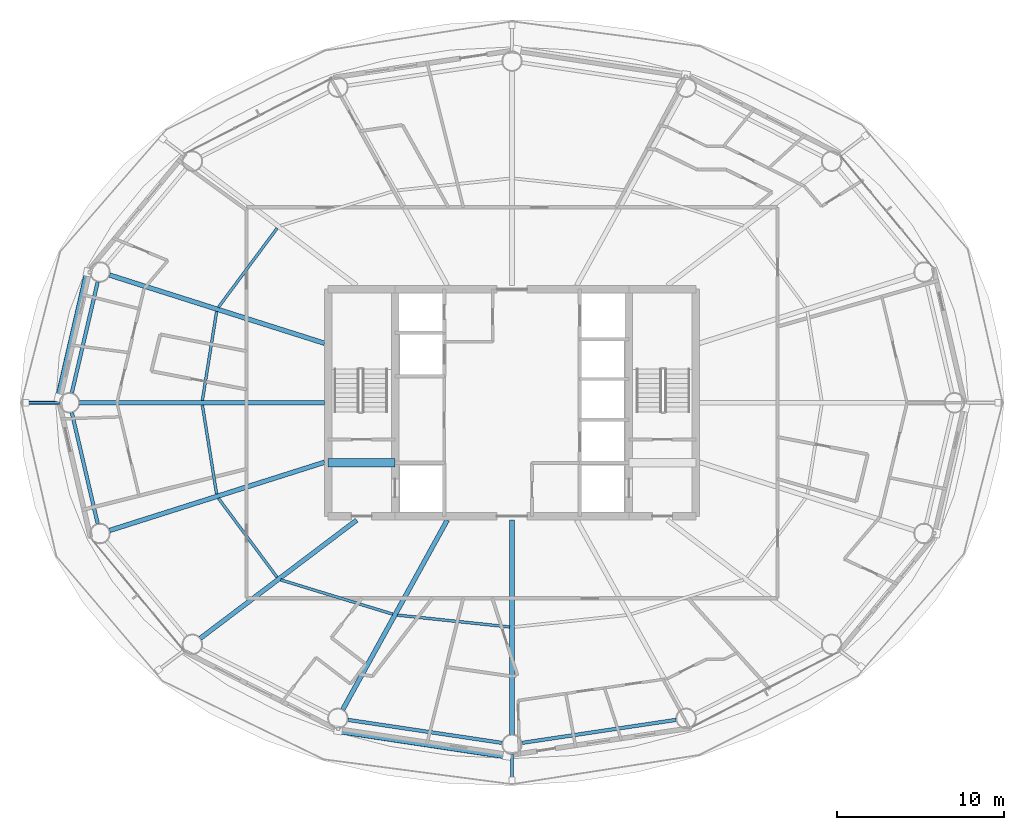
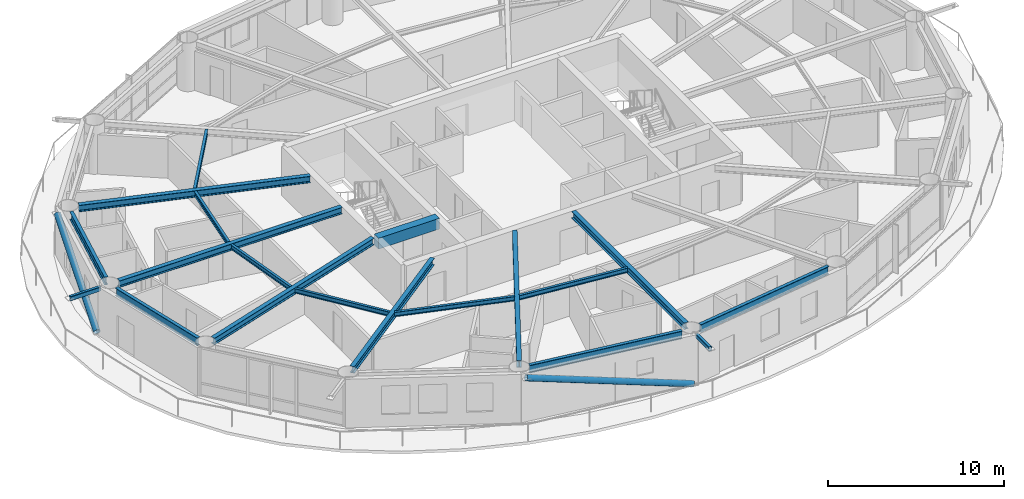
# One storey, part 4 of 27: 17 beams, 4 members.
"""IFC4 building model written with IfcOpenShell, lengths in metres."""

from ifc_helpers import new_model, si_unit, direction, frame, origin, origin_2d, place, context, subcontext, project, spatial, rectangle, hollow_rectangle, hollow_circle, i_section, extrude, material, material_profile, profile_set, type_object, element, save


model = new_model("IFC4")

# Units and contexts
model_context = context("Model", 3, precision=1e-05, world=origin(), true_north=direction((0.0, 1.0)))
body_context = subcontext(model_context, "Body", "Model", "MODEL_VIEW")
ifc_project = project(units=[si_unit("LENGTHUNIT", "METRE"), si_unit("AREAUNIT", "SQUARE_METRE"), si_unit("VOLUMEUNIT", "CUBIC_METRE"), si_unit("PLANEANGLEUNIT", "RADIAN"), si_unit("MASSUNIT", "GRAM", prefix="KILO")], contexts=[model_context])

# Site, building, storey
site_placement = place(None, origin())
site = spatial("IfcSite", under=ifc_project, at=site_placement, CompositionType="ELEMENT")
building_placement = place(site_placement, origin())
building = spatial("IfcBuilding", under=site, at=building_placement, Name="Sarneth Arch Tower", CompositionType="ELEMENT")
storey_placement = place(building_placement, frame((0.0, 0.0, 186.60009765625)))
storey = spatial("IfcBuildingStorey", under=building, at=storey_placement, Name="L47", CompositionType="ELEMENT", Elevation=186.60009765625)

# Beams
ifc_material_1 = material(Name="Steel S355", Category="steel")
ifc_material_profile_1 = material_profile(ifc_material_1, i_section(OverallWidth=0.1669921875, OverallDepth=0.31689453125, WebThickness=0.007568359375, FlangeThickness=0.01318359375, FilletRadius=0.012939453125, at=origin_2d()), Name="W310x52")
ifc_profile_set_1 = profile_set([ifc_material_profile_1], Name="Steel S355")
beam_type_1 = type_object("IfcBeamType", Name="BM-JOIST-310B", PredefinedType="JOIST", material=ifc_profile_set_1)
beam_1_placement = place(storey_placement, frame((33.941162109375, 52.449462890625, 3.221435546875), z_axis=(-0.596190586674, -0.802842938788, 0.0), x_axis=(0.802842938788, -0.596190586674, 0.0)))
element("IfcBeam", 1, at=beam_1_placement, inside=storey, type_object=beam_type_1, Name="L47 Secondary floor joist 07", PredefinedType="JOIST", context=body_context, shape_type="SweptSolid", body=[
    extrude(i_section(OverallWidth=0.1669921875, OverallDepth=0.31689453125, WebThickness=0.007568359375, FlangeThickness=0.01318359375, FilletRadius=0.012939453125, at=origin_2d()), origin(), (0.0, 0.0, 1.0), 5.896484375),
])
for number, where, z_axis, x_axis, name in (
    (2, (30.3203125, 47.46484375, 3.221435546875), (-0.158348792374, -0.987383238643, 0.0), (0.987383238643, -0.158348792374, 0.0), "L47 Secondary floor joist 08"),
    (3, (29.466064453125, 41.86181640625, 3.221435546875), (0.158348792374, -0.987383238643, 0.0), (0.987383238643, 0.158348792374, 0.0), "L47 Secondary floor joist 09"),
):
    element("IfcBeam", number, at=place(storey_placement, frame(where, z_axis=z_axis, x_axis=x_axis)), inside=storey, type_object=beam_type_1, Name=name, PredefinedType="JOIST", context=body_context, shape_type="SweptSolid", body=[
        extrude(i_section(OverallWidth=0.1669921875, OverallDepth=0.31689453125, WebThickness=0.007568359375, FlangeThickness=0.01318359375, FilletRadius=0.012939453125, at=origin_2d()), origin(), (0.0, 0.0, 1.0), 5.394775390625),
    ])
beam_2_placement = place(storey_placement, frame((30.42578125, 36.284423828125, 3.221435546875), z_axis=(0.596190586674, -0.802842938788, 0.0), x_axis=(0.802842938788, 0.596190586674, 0.0)))
element("IfcBeam", 4, at=beam_2_placement, inside=storey, type_object=beam_type_1, Name="L47 Secondary floor joist 10", PredefinedType="JOIST", context=body_context, shape_type="SweptSolid", body=[
    extrude(i_section(OverallWidth=0.1669921875, OverallDepth=0.31689453125, WebThickness=0.007568359375, FlangeThickness=0.01318359375, FilletRadius=0.012939453125, at=origin_2d()), origin(), (0.0, 0.0, 1.0), 5.896484375),
])
beam_3_placement = place(storey_placement, frame((34.15869140625, 31.397216796875, 3.221435546875), z_axis=(0.956178669891, -0.292783796076, 0.0), x_axis=(0.292783796076, 0.956178669891, 0.0)))
element("IfcBeam", 5, at=beam_3_placement, inside=storey, type_object=beam_type_1, Name="L47 Secondary floor joist 11", PredefinedType="JOIST", context=body_context, shape_type="SweptSolid", body=[
    extrude(i_section(OverallWidth=0.1669921875, OverallDepth=0.31689453125, WebThickness=0.007568359375, FlangeThickness=0.01318359375, FilletRadius=0.012939453125, at=origin_2d()), origin(), (0.0, 0.0, 1.0), 7.010986328125),
])
beam_4_placement = place(storey_placement, frame((41.1357421875, 29.288818359375, 3.221435546875), z_axis=(0.994447340543, -0.105235387994, 0.0), x_axis=(0.105235387994, 0.994447340543, 0.0)))
element("IfcBeam", 6, at=beam_4_placement, inside=storey, type_object=beam_type_1, Name="L47 Secondary floor joist 12", PredefinedType="JOIST", context=body_context, shape_type="SweptSolid", body=[
    extrude(i_section(OverallWidth=0.1669921875, OverallDepth=0.31689453125, WebThickness=0.007568359375, FlangeThickness=0.01318359375, FilletRadius=0.012939453125, at=origin_2d()), origin(), (0.0, 0.0, 1.0), 6.7626953125),
])
ifc_material_2 = material(Name="Concrete C50/60", Category="concrete")
ifc_material_profile_2 = material_profile(ifc_material_2, rectangle(XDim=0.5, YDim=0.75, at=origin_2d()), Name="RC-500x750")
ifc_profile_set_2 = profile_set([ifc_material_profile_2], Name="Concrete C50/60")
beam_type_2 = type_object("IfcBeamType", Name="BM-LINTEL-RC", PredefinedType="LINTEL", material=ifc_profile_set_2)
beam_5_placement = place(storey_placement, frame((37.0, 38.39990234375, 3.0048828125), z_axis=(1.0, 0.0, 0.0), x_axis=(0.0, 1.0, 0.0)))
element("IfcBeam", 7, at=beam_5_placement, inside=storey, type_object=beam_type_2, Name="L47 Core coupling lintel W", PredefinedType="LINTEL", context=body_context, shape_type="SweptSolid", body=[
    extrude(rectangle(XDim=0.5, YDim=0.75, at=origin_2d()), origin(), (0.0, 0.0, 1.0), 4.0),
])
ifc_material_3 = material(Name="Steel S355", Category="steel")
ifc_material_profile_3 = material_profile(ifc_material_3, i_section(OverallWidth=0.280029296875, OverallDepth=0.462890625, WebThickness=0.0107421875, FlangeThickness=0.017333984375, FilletRadius=0.01806640625, at=origin_2d()), Name="W460x113")
ifc_profile_set_3 = profile_set([ifc_material_profile_3], Name="Steel S355")
beam_type_3 = type_object("IfcBeamType", Name="BM-RAD-460A", PredefinedType="BEAM", material=ifc_profile_set_3)
beam_6_placement = place(storey_placement, frame((36.77490234375, 45.56201171875, 3.1484375), z_axis=(-0.95316541071, 0.30244949963, 0.0), x_axis=(-0.30244949963, -0.95316541071, 0.0)))
element("IfcBeam", 8, at=beam_6_placement, inside=storey, type_object=beam_type_3, Name="L47 Radial floor girder 08", PredefinedType="BEAM", context=body_context, shape_type="SweptSolid", body=[
    extrude(i_section(OverallWidth=0.280029296875, OverallDepth=0.462890625, WebThickness=0.0107421875, FlangeThickness=0.017333984375, FilletRadius=0.01806640625, at=origin_2d()), origin(), (0.0, 0.0, 1.0), 13.497314453125),
])
beam_7_placement = place(storey_placement, frame((36.77490234375, 42.0, 3.1484375), z_axis=(-1.0, 0.0, 0.0), x_axis=(0.0, -1.0, 0.0)))
element("IfcBeam", 9, at=beam_7_placement, inside=storey, type_object=beam_type_3, Name="L47 Radial floor girder 09", PredefinedType="BEAM", context=body_context, shape_type="SweptSolid", body=[
    extrude(i_section(OverallWidth=0.280029296875, OverallDepth=0.462890625, WebThickness=0.0107421875, FlangeThickness=0.017333984375, FilletRadius=0.01806640625, at=origin_2d()), origin(), (0.0, 0.0, 1.0), 14.661865234375),
])
beam_8_placement = place(storey_placement, frame((36.77490234375, 38.43798828125, 3.1484375), z_axis=(-0.95316541071, -0.30244949963, 0.0), x_axis=(0.30244949963, -0.95316541071, 0.0)))
element("IfcBeam", 10, at=beam_8_placement, inside=storey, type_object=beam_type_3, Name="L47 Radial floor girder 10", PredefinedType="BEAM", context=body_context, shape_type="SweptSolid", body=[
    extrude(i_section(OverallWidth=0.280029296875, OverallDepth=0.462890625, WebThickness=0.0107421875, FlangeThickness=0.017333984375, FilletRadius=0.01806640625, at=origin_2d()), origin(), (0.0, 0.0, 1.0), 13.497314453125),
])
beam_9_placement = place(storey_placement, frame((38.70458984375, 34.97509765625, 3.1484375), z_axis=(-0.797784574467, -0.602942594898, 0.0), x_axis=(0.602942594898, -0.797784574467, 0.0)))
element("IfcBeam", 11, at=beam_9_placement, inside=storey, type_object=beam_type_3, Name="L47 Radial floor girder 11", PredefinedType="BEAM", context=body_context, shape_type="SweptSolid", body=[
    extrude(i_section(OverallWidth=0.280029296875, OverallDepth=0.462890625, WebThickness=0.0107421875, FlangeThickness=0.017333984375, FilletRadius=0.01806640625, at=origin_2d()), origin(), (0.0, 0.0, 1.0), 11.73193359375),
])
beam_10_placement = place(storey_placement, frame((44.125, 34.97509765625, 3.1484375), z_axis=(-0.483010082599, -0.875614789795, 0.0), x_axis=(0.875614789795, -0.483010082599, 0.0)))
element("IfcBeam", 12, at=beam_10_placement, inside=storey, type_object=beam_type_3, Name="L47 Radial floor girder 12", PredefinedType="BEAM", context=body_context, shape_type="SweptSolid", body=[
    extrude(i_section(OverallWidth=0.280029296875, OverallDepth=0.462890625, WebThickness=0.0107421875, FlangeThickness=0.017333984375, FilletRadius=0.01806640625, at=origin_2d()), origin(), (0.0, 0.0, 1.0), 12.954345703125),
])
beam_11_placement = place(storey_placement, frame((48.0, 34.97509765625, 3.1484375), z_axis=(0.0, -1.0, 0.0), x_axis=(1.0, 0.0, 0.0)))
element("IfcBeam", 13, at=beam_11_placement, inside=storey, type_object=beam_type_3, Name="L47 Radial floor girder 13", PredefinedType="BEAM", context=body_context, shape_type="SweptSolid", body=[
    extrude(i_section(OverallWidth=0.280029296875, OverallDepth=0.462890625, WebThickness=0.0107421875, FlangeThickness=0.017333984375, FilletRadius=0.01806640625, at=origin_2d()), origin(), (0.0, 0.0, 1.0), 12.8251953125),
])
ifc_material_4 = material(Name="Steel S355", Category="steel")
ifc_material_profile_4 = material_profile(ifc_material_4, i_section(OverallWidth=0.214111328125, OverallDepth=0.549072265625, WebThickness=0.0146484375, FlangeThickness=0.023681640625, FilletRadius=0.01806640625, at=origin_2d()), Name="W530x138")
ifc_profile_set_4 = profile_set([ifc_material_profile_4], Name="Steel S355")
beam_type_4 = type_object("IfcBeamType", Name="BM-RAD-530A", PredefinedType="BEAM", material=ifc_profile_set_4)
for number, where, z_axis, x_axis, name in (
    (14, (23.20166015625, 49.241455078125, 3.10546875), (-0.227109937572, -0.973869126863, 0.0), (0.973869126863, -0.227109937572, 0.0), "L47 Perimeter spandrel beam 08"),
    (15, (21.649169921875, 41.415771484375, 3.10546875), (0.227109937572, -0.973869126863, 0.0), (0.973869126863, 0.227109937572, 0.0), "L47 Perimeter spandrel beam 09"),
):
    element("IfcBeam", number, at=place(storey_placement, frame(where, z_axis=z_axis, x_axis=x_axis)), inside=storey, type_object=beam_type_4, Name=name, PredefinedType="BEAM", context=body_context, shape_type="SweptSolid", body=[
        extrude(i_section(OverallWidth=0.214111328125, OverallDepth=0.549072265625, WebThickness=0.0146484375, FlangeThickness=0.023681640625, FilletRadius=0.01806640625, at=origin_2d()), origin(), (0.0, 0.0, 1.0), 6.8359375),
    ])
for number, where, z_axis, x_axis, name in (
    (16, (38.171630859375, 23.01806640625, 3.10546875), (0.98902783755, -0.147729267756, 0.0), (0.147729267756, 0.98902783755, 0.0), "L47 Perimeter spandrel beam 12"),
    (17, (48.593505859375, 21.638671875, 3.10546875), (0.98902783755, 0.147729267756, 0.0), (-0.147729267756, 0.98902783755, 0.0), "L47 Perimeter spandrel beam 13"),
):
    element("IfcBeam", number, at=place(storey_placement, frame(where, z_axis=z_axis, x_axis=x_axis)), inside=storey, type_object=beam_type_4, Name=name, PredefinedType="BEAM", context=body_context, shape_type="SweptSolid", body=[
        extrude(i_section(OverallWidth=0.214111328125, OverallDepth=0.549072265625, WebThickness=0.0146484375, FlangeThickness=0.023681640625, FilletRadius=0.01806640625, at=origin_2d()), origin(), (0.0, 0.0, 1.0), 9.33740234375),
    ])

# Members
ifc_material_5 = material(Name="Steel S355", Category="steel")
ifc_material_profile_5 = material_profile(ifc_material_5, hollow_rectangle(XDim=0.199951171875, YDim=0.300048828125, WallThickness=0.012451171875, InnerFilletRadius=0.018798828125, OuterFilletRadius=0.03125, at=origin_2d()), Name="RHS300x200x12.5")
ifc_profile_set_5 = profile_set([ifc_material_profile_5], Name="Steel S355")
member_type_1 = type_object("IfcMemberType", Name="MEM-CANT-STRUT", PredefinedType="STRUT", material=ifc_profile_set_5)
member_1_placement = place(storey_placement, frame((20.9130859375, 42.0, 3.219970703125), z_axis=(-1.0, 0.0, 0.0), x_axis=(0.0, -1.0, 0.0)))
element("IfcMember", 18, at=member_1_placement, inside=storey, type_object=member_type_1, Name="L47 Balcony cantilever bracket 09", PredefinedType="STRUT", context=body_context, shape_type="SweptSolid", body=[
    extrude(hollow_rectangle(XDim=0.199951171875, YDim=0.300048828125, WallThickness=0.012451171875, InnerFilletRadius=0.018798828125, OuterFilletRadius=0.03125, at=origin_2d()), origin(), (0.0, 0.0, 1.0), 2.003173828125),
])
member_2_placement = place(storey_placement, frame((48.0, 20.949951171875, 3.219970703125), z_axis=(0.0, -1.0, 0.0), x_axis=(1.0, 0.0, 0.0)))
element("IfcMember", 19, at=member_2_placement, inside=storey, type_object=member_type_1, Name="L47 Balcony cantilever bracket 13", PredefinedType="STRUT", context=body_context, shape_type="SweptSolid", body=[
    extrude(hollow_rectangle(XDim=0.199951171875, YDim=0.300048828125, WallThickness=0.012451171875, InnerFilletRadius=0.018798828125, OuterFilletRadius=0.03125, at=origin_2d()), origin(), (0.0, 0.0, 1.0), 1.546875),
])
ifc_material_6 = material(Name="Steel S355", Category="steel")
ifc_material_profile_6 = material_profile(ifc_material_6, hollow_circle(Radius=0.202880859375, WallThickness=0.01611328125, at=origin_2d()), Name="CHS406x16")
ifc_profile_set_6 = profile_set([ifc_material_profile_6], Name="Steel S355")
member_type_2 = type_object("IfcMemberType", Name="MEM-DIAG-BR2", PredefinedType="BRACE", material=ifc_profile_set_6)
member_3_placement = place(storey_placement, frame((20.87109375, 42.292236328125, 0.02001953125), z_axis=(0.209646277215, 0.90691666474, 0.365445757488), x_axis=(-0.974306903917, 0.225224459107, 0.0)))
element("IfcMember", 20, at=member_3_placement, inside=storey, type_object=member_type_2, Name="L47 Perimeter frame diagonal 08", PredefinedType="BRACE", context=body_context, shape_type="SweptSolid", body=[
    extrude(hollow_circle(Radius=0.202880859375, WallThickness=0.01611328125, at=origin_2d()), origin(), (0.0, 0.0, 1.0), 8.292724609375),
])
member_4_placement = place(storey_placement, frame((47.703369140625, 20.86474609375, 0.02001953125), z_axis=(-0.948052912183, 0.142822782379, 0.284248708942), x_axis=(-0.148967610144, -0.988842075929, 0.0)))
element("IfcMember", 21, at=member_4_placement, inside=storey, type_object=member_type_2, Name="L47 Perimeter frame diagonal 12", PredefinedType="BRACE", context=body_context, shape_type="SweptSolid", body=[
    extrude(hollow_circle(Radius=0.202880859375, WallThickness=0.01611328125, at=origin_2d()), origin(), (0.0, 0.0, 1.0), 10.66162109375),
])

save(model, "model.ifc")
